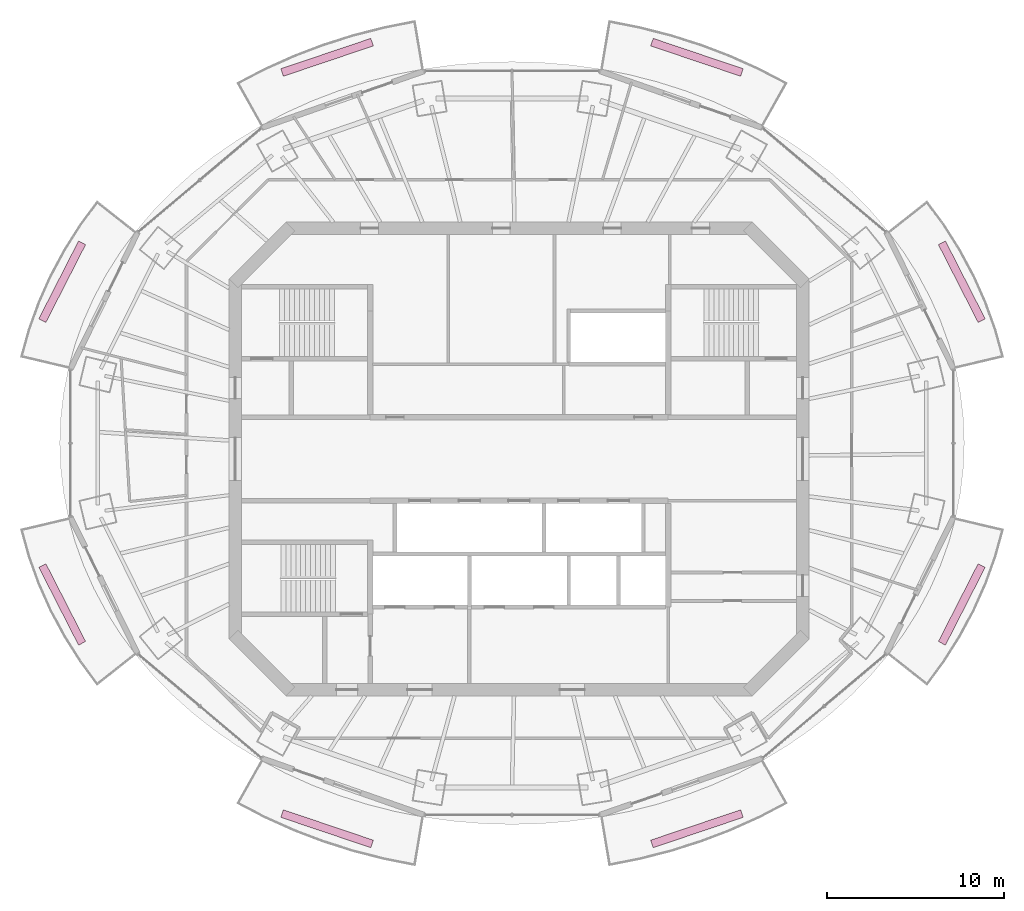
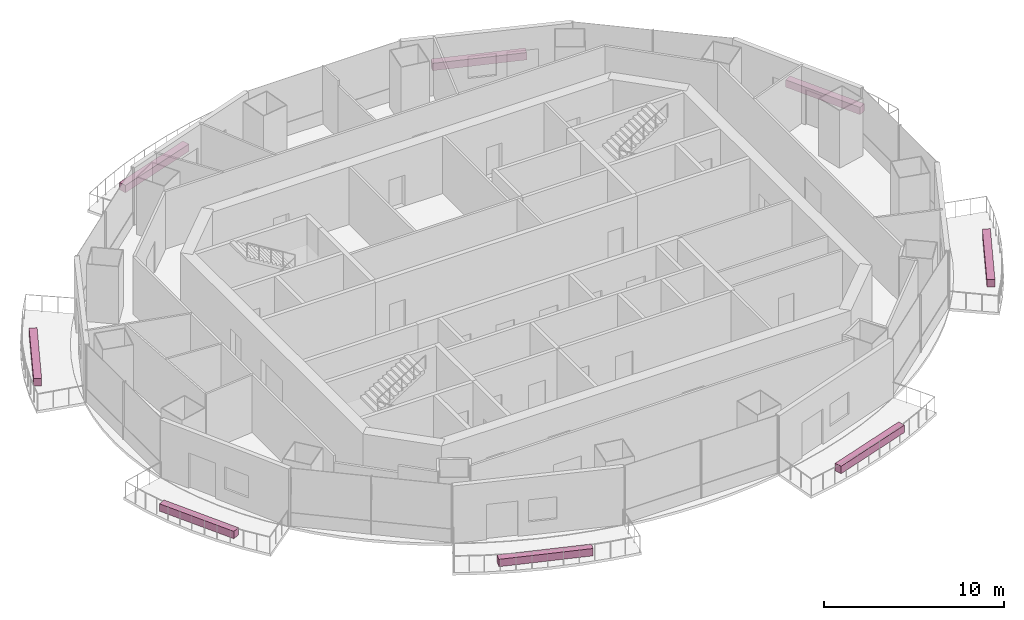
# One storey, part 14 of 14: 8 furnishings.
"""IFC4 building model written with IfcOpenShell, lengths in metres."""

from ifc_helpers import new_model, si_unit, direction, frame, origin, origin_2d, place, context, subcontext, project, spatial, rectangle, extrude, material, type_object, element, save


model = new_model("IFC4")

# Units and contexts
model_context = context("Model", 3, precision=1e-05, world=origin(), true_north=direction((0.0, 1.0)))
body_context = subcontext(model_context, "Body", "Model", "MODEL_VIEW")
ifc_project = project(units=[si_unit("LENGTHUNIT", "METRE"), si_unit("AREAUNIT", "SQUARE_METRE"), si_unit("VOLUMEUNIT", "CUBIC_METRE"), si_unit("PLANEANGLEUNIT", "RADIAN"), si_unit("MASSUNIT", "GRAM", prefix="KILO")], contexts=[model_context])

# Site, building, storey
site_placement = place(None, origin())
site = spatial("IfcSite", under=ifc_project, at=site_placement, CompositionType="ELEMENT")
building_placement = place(site_placement, origin())
building = spatial("IfcBuilding", under=site, at=building_placement, Name="Marenthal Gate Tower", CompositionType="ELEMENT")
storey_placement = place(building_placement, frame((0.0, 0.0, 392.39990234375)))
storey = spatial("IfcBuildingStorey", under=building, at=storey_placement, Name="L89", CompositionType="ELEMENT", Elevation=392.39990234375)

# Furnishings
ifc_material = material(Name="Planting soil and foliage", Category="planting")
furnishing_element_type = type_object("IfcFurnishingElementType", Name="Balcony PLANTER trough", material=ifc_material)
furnishing_1_placement = place(storey_placement, frame((24.955078125, 9.996337890625, -0.039794921875), z_axis=(0.0, 0.0, 1.0), x_axis=(-0.45470555801, 0.890641822235, 0.0)))
element("IfcFurnishingElement", 1, at=furnishing_1_placement, inside=storey, type_object=furnishing_element_type, Name="Balcony PLANTER L89 bay 1", ObjectType="PLANTER", context=body_context, shape_type="SweptSolid", body=[
    extrude(rectangle(XDim=4.926513671875, YDim=0.449951171875, at=origin_2d()), origin(), (0.0, 0.0, 1.0), 0.5),
])
for number, where, z_axis, x_axis, name in (
    (2, (10.024169921875, 22.64404296875, -0.039794921875), (0.0, 0.0, 1.0), (-0.947527025522, 0.319675672997, 0.0), "Balcony PLANTER L89 bay 3"),
    (3, (-10.82421875, 22.64404296875, -0.039794921875), (0.0, 0.0, 1.0), (-0.947527025522, -0.319675672997, 0.0), "Balcony PLANTER L89 bay 5"),
):
    element("IfcFurnishingElement", number, at=place(storey_placement, frame(where, z_axis=z_axis, x_axis=x_axis)), inside=storey, type_object=furnishing_element_type, Name=name, ObjectType="PLANTER", context=body_context, shape_type="SweptSolid", body=[
        extrude(rectangle(XDim=5.3515625, YDim=0.449951171875, at=origin_2d()), origin(), (0.0, 0.0, 1.0), 0.5),
    ])
for number, where, z_axis, x_axis, name in (
    (4, (-25.755126953125, 9.996337890625, -0.039794921875), (0.0, 0.0, 1.0), (-0.45470555801, -0.890641822235, 0.0), "Balcony PLANTER L89 bay 7"),
    (5, (-25.755126953125, -8.1962890625, -0.039794921875), (0.0, 0.0, 1.0), (0.45470555801, -0.890641822235, 0.0), "Balcony PLANTER L89 bay 9"),
):
    element("IfcFurnishingElement", number, at=place(storey_placement, frame(where, z_axis=z_axis, x_axis=x_axis)), inside=storey, type_object=furnishing_element_type, Name=name, ObjectType="PLANTER", context=body_context, shape_type="SweptSolid", body=[
        extrude(rectangle(XDim=4.926513671875, YDim=0.449951171875, at=origin_2d()), origin(), (0.0, 0.0, 1.0), 0.5),
    ])
for number, where, z_axis, x_axis, name in (
    (6, (-10.82421875, -20.843994140625, -0.039794921875), (0.0, 0.0, 1.0), (0.947527025522, -0.319675672997, 0.0), "Balcony PLANTER L89 bay 11"),
    (7, (10.024169921875, -20.843994140625, -0.039794921875), (0.0, 0.0, 1.0), (0.947527025522, 0.319675672997, 0.0), "Balcony PLANTER L89 bay 13"),
):
    element("IfcFurnishingElement", number, at=place(storey_placement, frame(where, z_axis=z_axis, x_axis=x_axis)), inside=storey, type_object=furnishing_element_type, Name=name, ObjectType="PLANTER", context=body_context, shape_type="SweptSolid", body=[
        extrude(rectangle(XDim=5.3515625, YDim=0.449951171875, at=origin_2d()), origin(), (0.0, 0.0, 1.0), 0.5),
    ])
furnishing_2_placement = place(storey_placement, frame((24.955078125, -8.1962890625, -0.039794921875), z_axis=(0.0, 0.0, 1.0), x_axis=(0.45470555801, 0.890641822235, 0.0)))
element("IfcFurnishingElement", 8, at=furnishing_2_placement, inside=storey, type_object=furnishing_element_type, Name="Balcony PLANTER L89 bay 15", ObjectType="PLANTER", context=body_context, shape_type="SweptSolid", body=[
    extrude(rectangle(XDim=4.926513671875, YDim=0.449951171875, at=origin_2d()), origin(), (0.0, 0.0, 1.0), 0.5),
])

save(model, "model.ifc")
